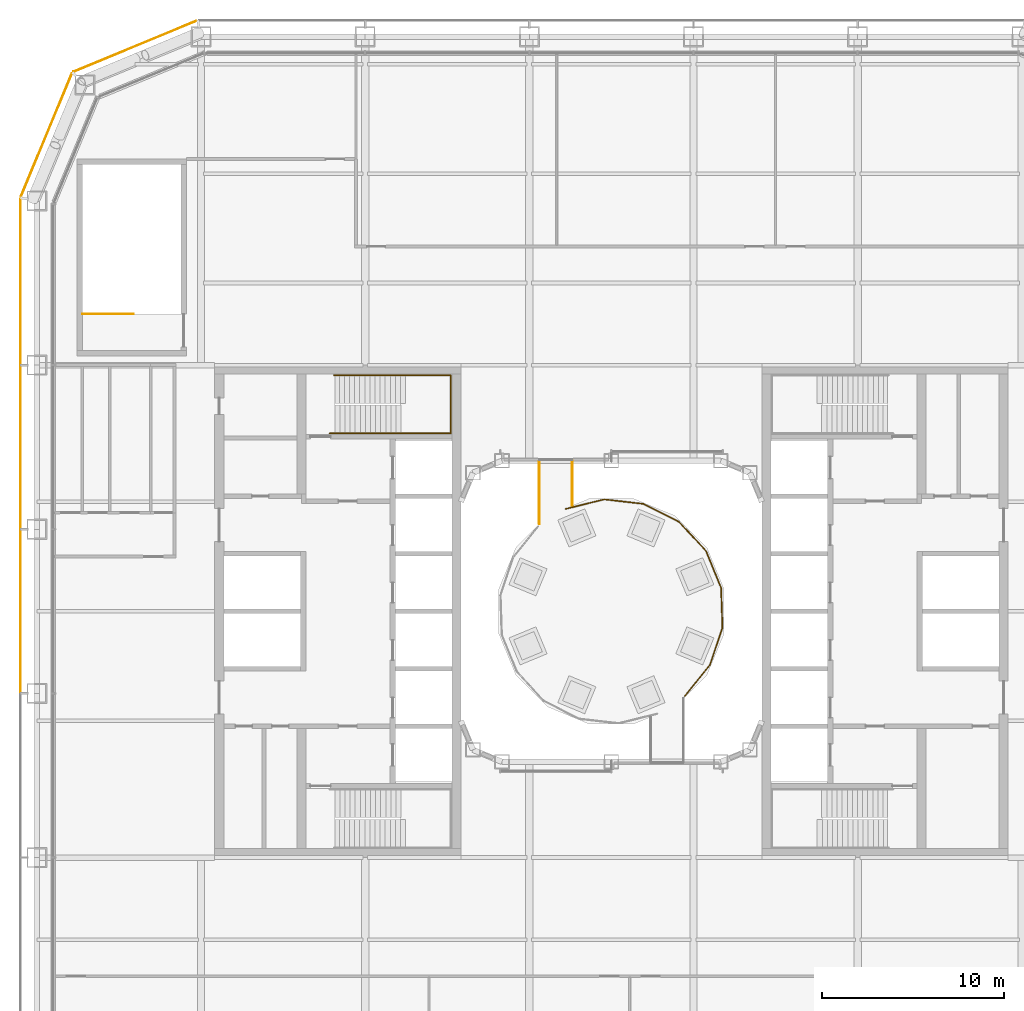
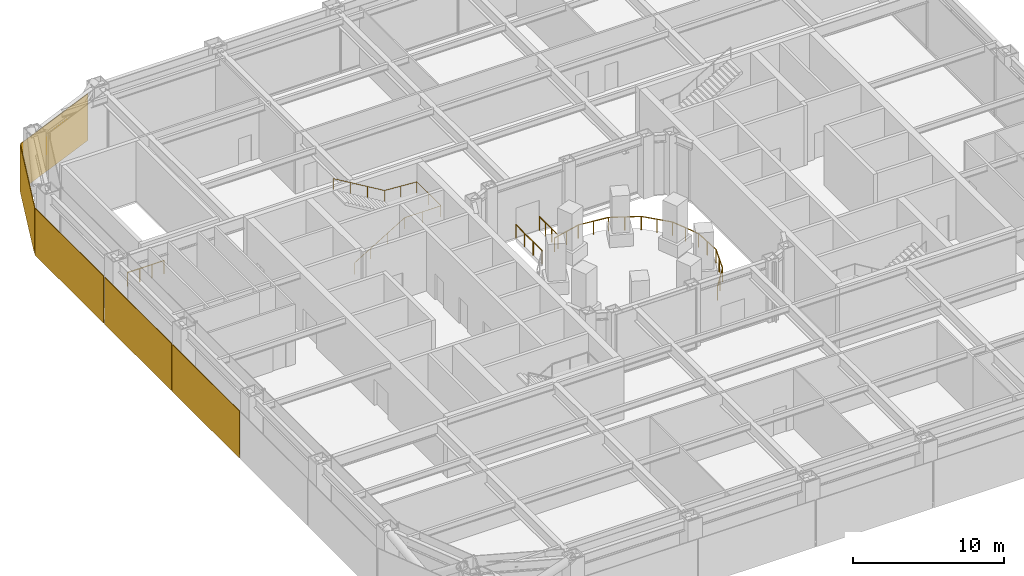
# One storey, part 22 of 25: 5 coverings, 5 railings.
"""IFC4 building model written with IfcOpenShell, lengths in metres."""

from ifc_helpers import new_model, si_unit, direction, frame, origin, origin_2d, place, context, subcontext, project, spatial, rectangle, circle, extrude, material, layer, layer_set, type_object, element, save


model = new_model("IFC4")

# Units and contexts
model_context = context("Model", 3, precision=1e-05, world=origin(), true_north=direction((0.0, 1.0)))
body_context = subcontext(model_context, "Body", "Model", "MODEL_VIEW")
ifc_project = project(units=[si_unit("LENGTHUNIT", "METRE"), si_unit("AREAUNIT", "SQUARE_METRE"), si_unit("VOLUMEUNIT", "CUBIC_METRE"), si_unit("PLANEANGLEUNIT", "RADIAN"), si_unit("MASSUNIT", "GRAM", prefix="KILO")], contexts=[model_context])

# Site, building, storey
site_placement = place(None, origin())
site = spatial("IfcSite", under=ifc_project, at=site_placement, CompositionType="ELEMENT")
building_placement = place(site_placement, origin())
building = spatial("IfcBuilding", under=site, at=building_placement, Name="Siwar Civic Tower", CompositionType="ELEMENT")
storey_placement = place(building_placement, frame((0.0, 0.0, 17.199951171875)))
storey = spatial("IfcBuildingStorey", under=building, at=storey_placement, Name="L03", CompositionType="ELEMENT", Elevation=17.199951171875)

# Railing
ifc_material_1 = material(Name="Stainless steel", Category="steel")
railing_type_1 = type_object("IfcRailingType", Name="CORE-STAIR-HANDRAIL", PredefinedType="HANDRAIL", material=ifc_material_1)
railing_1_placement = place(storey_placement, frame((-15.449951171875, 9.758056640625, 0.166748046875)))
element("IfcRailing", 1, at=railing_1_placement, inside=storey, type_object=railing_type_1, Name="Stair handrail ST1", PredefinedType="HANDRAIL", context=body_context, shape_type="SweptSolid", body=[
    extrude(circle(Radius=0.02001953125, at=origin_2d()), frame((0.0, 0.0, 0.8798828125), z_axis=(0.856384976194, 0.0, 0.516337847296), x_axis=(0.0, 1.0, 0.0)), (0.0, 0.0, 1.0), 4.518798828125),
    extrude(circle(Radius=0.02001953125, at=origin_2d()), frame((3.869873046875, 0.0, 3.213134765625), z_axis=(1.0, 0.0, 0.0), x_axis=(0.0, 1.0, 0.0)), (0.0, 0.0, 1.0), 2.77197265625),
    extrude(circle(Radius=0.02001953125, at=origin_2d()), frame((6.641845703125, 0.0, 3.213134765625), z_axis=(0.0, 1.0, 0.0), x_axis=(-1.0, 0.0, 0.0)), (0.0, 0.0, 1.0), 3.183837890625),
    extrude(circle(Radius=0.02001953125, at=origin_2d()), frame((6.641845703125, 3.183837890625, 3.213134765625), z_axis=(-0.997732526271, 0.0, 0.067303833624), x_axis=(0.0, -1.0, 0.0)), (0.0, 0.0, 1.0), 2.4775390625),
    extrude(circle(Radius=0.02001953125, at=origin_2d()), frame((4.169921875, 3.183837890625, 3.3798828125), z_axis=(-0.859296244711, 0.0, 0.511478214419), x_axis=(0.0, -1.0, 0.0)), (0.0, 0.0, 1.0), 4.561767578125),
    extrude(circle(Radius=0.02001953125, at=origin_2d()), origin(), (0.0, 0.0, 1.0), 0.85986328125),
    extrude(circle(Radius=0.02001953125, at=origin_2d()), frame((1.2900390625, 0.0, 0.77783203125)), (0.0, 0.0, 1.0), 0.85986328125),
    extrude(circle(Radius=0.02001953125, at=origin_2d()), frame((2.579833984375, 0.0, 1.555419921875)), (0.0, 0.0, 1.0), 0.85986328125),
    extrude(circle(Radius=0.02001953125, at=origin_2d()), frame((3.869873046875, 0.0, 2.333251953125)), (0.0, 0.0, 1.0), 0.85986328125),
    extrude(circle(Radius=0.02001953125, at=origin_2d()), frame((5.255859375, 0.0, 2.333251953125)), (0.0, 0.0, 1.0), 0.85986328125),
    extrude(circle(Radius=0.02001953125, at=origin_2d()), frame((6.641845703125, 0.0, 2.333251953125)), (0.0, 0.0, 1.0), 0.85986328125),
    extrude(circle(Radius=0.02001953125, at=origin_2d()), frame((6.641845703125, 1.591796875, 2.333251953125)), (0.0, 0.0, 1.0), 0.85986328125),
    extrude(circle(Radius=0.02001953125, at=origin_2d()), frame((6.641845703125, 3.183837890625, 2.333251953125)), (0.0, 0.0, 1.0), 0.85986328125),
    extrude(circle(Radius=0.02001953125, at=origin_2d()), frame((5.40576171875, 3.183837890625, 2.41650390625)), (0.0, 0.0, 1.0), 0.85986328125),
    extrude(circle(Radius=0.02001953125, at=origin_2d()), frame((4.169921875, 3.183837890625, 2.5)), (0.0, 0.0, 1.0), 0.85986328125),
    extrude(circle(Radius=0.02001953125, at=origin_2d()), frame((2.86328125, 3.183837890625, 3.27783203125)), (0.0, 0.0, 1.0), 0.85986328125),
    extrude(circle(Radius=0.02001953125, at=origin_2d()), frame((1.556640625, 3.183837890625, 4.055419921875)), (0.0, 0.0, 1.0), 0.85986328125),
    extrude(circle(Radius=0.02001953125, at=origin_2d()), frame((0.25, 3.183837890625, 4.833251953125)), (0.0, 0.0, 1.0), 0.85986328125),
])

# Coverings
ifc_material_2 = material(Name="Perforated aluminium cassette, pale metal", Category="aluminium")
ifc_layer_1 = layer(ifc_material_2, 0.0400390625)
ifc_layer_set_1 = layer_set([ifc_layer_1], Name="Perforated aluminium cassette, pale metal")
covering_type_1 = type_object("IfcCoveringType", Name="ENV-OUTER SKIN OS-1", PredefinedType="CLADDING", material=ifc_layer_set_1)
covering_1_placement = place(storey_placement, frame((-26.115966796875, 30.976318359375, -0.14990234375), z_axis=(0.0, 0.0, 1.0), x_axis=(-0.923879532511, -0.382683432365, 0.0)))
element("IfcCovering", 2, at=covering_1_placement, inside=storey, type_object=covering_type_1, Name="OUTER SKIN OS-1 NW1 1", PredefinedType="CLADDING", context=body_context, shape_type="SweptSolid", body=[
    extrude(rectangle(XDim=7.300048828125, YDim=0.0400390625, at=origin_2d()), origin(), (0.0, 0.0, 1.0), 3.800048828125),
])
ifc_material_3 = material(Name="Perforated aluminium cassette, pale metal", Category="aluminium")
ifc_layer_2 = layer(ifc_material_3, 0.044921875)
ifc_layer_set_2 = layer_set([ifc_layer_2], Name="Perforated aluminium cassette, pale metal")
covering_type_2 = type_object("IfcCoveringType", Name="ENV-OUTER SKIN OS-2", PredefinedType="CLADDING", material=ifc_layer_set_2)
covering_2_placement = place(storey_placement, frame((-30.976318359375, 26.115966796875, -0.14990234375), z_axis=(0.0, 0.0, 1.0), x_axis=(-0.382683432365, -0.923879532511, 0.0)))
element("IfcCovering", 3, at=covering_2_placement, inside=storey, type_object=covering_type_2, Name="OUTER SKIN OS-2 NW2 1", PredefinedType="CLADDING", context=body_context, shape_type="SweptSolid", body=[
    extrude(rectangle(XDim=7.300048828125, YDim=0.044921875, at=origin_2d()), origin(), (0.0, 0.0, 1.0), 3.800048828125),
])
ifc_material_4 = material(Name="Perforated aluminium cassette, pale metal", Category="aluminium")
ifc_layer_3 = layer(ifc_material_4, 0.050048828125)
ifc_layer_set_3 = layer_set([ifc_layer_3], Name="Perforated aluminium cassette, pale metal")
covering_type_3 = type_object("IfcCoveringType", Name="ENV-OUTER SKIN OS-3", PredefinedType="CLADDING", material=ifc_layer_set_3)
covering_3_placement = place(storey_placement, frame((-32.39990234375, 18.07958984375, -0.14990234375), z_axis=(0.0, 0.0, 1.0), x_axis=(0.0, -1.0, 0.0)))
element("IfcCovering", 4, at=covering_3_placement, inside=storey, type_object=covering_type_3, Name="OUTER SKIN OS-3 W 1", PredefinedType="CLADDING", context=body_context, shape_type="SweptSolid", body=[
    extrude(rectangle(XDim=9.05908203125, YDim=0.050048828125, at=origin_2d()), origin(), (0.0, 0.0, 1.0), 3.800048828125),
])
for number, where, z_axis, x_axis, name in (
    (5, (-32.39990234375, 9.0, -0.14990234375), (0.0, 0.0, 1.0), (0.0, -1.0, 0.0), "OUTER SKIN OS-3 W 2"),
    (6, (-32.39990234375, 0.0, -0.14990234375), (0.0, 0.0, 1.0), (0.0, -1.0, 0.0), "OUTER SKIN OS-3 W 3"),
):
    element("IfcCovering", number, at=place(storey_placement, frame(where, z_axis=z_axis, x_axis=x_axis)), inside=storey, type_object=covering_type_3, Name=name, PredefinedType="CLADDING", context=body_context, shape_type="SweptSolid", body=[
        extrude(rectangle(XDim=8.89990234375, YDim=0.050048828125, at=origin_2d()), origin(), (0.0, 0.0, 1.0), 3.800048828125),
    ])

# Railings
ifc_material_5 = material(Name="Stainless steel", Category="steel")
railing_type_2 = type_object("IfcRailingType", Name="GND-RAIL", PredefinedType="GUARDRAIL", material=ifc_material_5)
railing_2_placement = place(storey_placement, frame((-3.949951171875, 4.788330078125, 0.0)))
element("IfcRailing", 7, at=railing_2_placement, inside=storey, type_object=railing_type_2, Name="Bridge guard", PredefinedType="GUARDRAIL", context=body_context, shape_type="SweptSolid", body=[
    extrude(circle(Radius=0.02392578125, at=origin_2d()), frame((0.0, 0.0, 1.076171875), z_axis=(0.0, 1.0, 0.0), x_axis=(-1.0, 0.0, 0.0)), (0.0, 0.0, 1.0), 3.45166015625),
    extrude(circle(Radius=0.02099609375, at=origin_2d()), origin(), (0.0, 0.0, 1.0), 1.052001953125),
    extrude(circle(Radius=0.02099609375, at=origin_2d()), frame((0.0, 1.150634765625, 0.0)), (0.0, 0.0, 1.0), 1.052001953125),
    extrude(circle(Radius=0.02099609375, at=origin_2d()), frame((0.0, 2.301025390625, 0.0)), (0.0, 0.0, 1.0), 1.052001953125),
    extrude(circle(Radius=0.02099609375, at=origin_2d()), frame((0.0, 3.45166015625, 0.0)), (0.0, 0.0, 1.0), 1.052001953125),
])
railing_3_placement = place(storey_placement, frame((-2.14990234375, 5.797607421875, 0.0)))
element("IfcRailing", 8, at=railing_3_placement, inside=storey, type_object=railing_type_2, Name="Bridge guard", PredefinedType="GUARDRAIL", context=body_context, shape_type="SweptSolid", body=[
    extrude(circle(Radius=0.02392578125, at=origin_2d()), frame((0.0, 0.0, 1.076171875), z_axis=(0.0, 1.0, 0.0), x_axis=(-1.0, 0.0, 0.0)), (0.0, 0.0, 1.0), 2.4423828125),
    extrude(circle(Radius=0.02099609375, at=origin_2d()), origin(), (0.0, 0.0, 1.0), 1.052001953125),
    extrude(circle(Radius=0.02099609375, at=origin_2d()), frame((0.0, 0.814208984375, 0.0)), (0.0, 0.0, 1.0), 1.052001953125),
    extrude(circle(Radius=0.02099609375, at=origin_2d()), frame((0.0, 1.628173828125, 0.0)), (0.0, 0.0, 1.0), 1.052001953125),
    extrude(circle(Radius=0.02099609375, at=origin_2d()), frame((0.0, 2.4423828125, 0.0)), (0.0, 0.0, 1.0), 1.052001953125),
])
railing_4_placement = place(storey_placement, frame((4.027587890625, -4.647705078125, 0.0)))
element("IfcRailing", 9, at=railing_4_placement, inside=storey, type_object=railing_type_2, Name="Terrace guard", PredefinedType="GUARDRAIL", context=body_context, shape_type="SweptSolid", body=[
    extrude(circle(Radius=0.02392578125, at=origin_2d()), frame((0.0, 0.0, 1.076171875), z_axis=(0.62786201826, 0.778324666207, 0.0), x_axis=(-0.778324666207, 0.62786201826, 0.0)), (0.0, 0.0, 1.0), 2.177490234375),
    extrude(circle(Radius=0.02392578125, at=origin_2d()), frame((1.3671875, 1.69482421875, 1.076171875), z_axis=(0.317236466423, 0.948346468529, 0.0), x_axis=(-0.948346468529, 0.317236466423, 0.0)), (0.0, 0.0, 1.0), 2.177978515625),
    extrude(circle(Radius=0.02392578125, at=origin_2d()), frame((2.05810546875, 3.76025390625, 1.076171875), z_axis=(-0.033184181604, 0.999449253385, 0.0), x_axis=(-0.999449253385, -0.033184181604, 0.0)), (0.0, 0.0, 1.0), 2.177734375),
    extrude(circle(Radius=0.02392578125, at=origin_2d()), frame((1.98583984375, 5.936767578125, 1.076171875), z_axis=(-0.379475162316, 0.925201924547, 0.0), x_axis=(-0.925201924547, -0.379475162316, 0.0)), (0.0, 0.0, 1.0), 2.177734375),
    extrude(circle(Radius=0.02392578125, at=origin_2d()), frame((1.159423828125, 7.95166015625, 1.076171875), z_axis=(-0.678056562675, 0.735009726339, 0.0), x_axis=(-0.735009726339, -0.678056562675, 0.0)), (0.0, 0.0, 1.0), 2.177734375),
    extrude(circle(Radius=0.02392578125, at=origin_2d()), frame((-0.317138671875, 9.55224609375, 1.076171875), z_axis=(-0.891720370588, 0.452586765912, 0.0), x_axis=(-0.452586765912, -0.891720370588, 0.0)), (0.0, 0.0, 1.0), 2.177734375),
    extrude(circle(Radius=0.02392578125, at=origin_2d()), frame((-2.259033203125, 10.537841796875, 1.076171875), z_axis=(-0.993544229816, 0.113445420351, 0.0), x_axis=(-0.113445420351, -0.993544229816, 0.0)), (0.0, 0.0, 1.0), 2.177978515625),
    extrude(circle(Radius=0.02392578125, at=origin_2d()), frame((-4.4228515625, 10.784912109375, 1.076171875), z_axis=(-0.970791881984, -0.239923158268, 0.0), x_axis=(0.239923158268, -0.970791881984, 0.0)), (0.0, 0.0, 1.0), 2.177734375),
    extrude(circle(Radius=0.02099609375, at=origin_2d()), origin(), (0.0, 0.0, 1.0), 1.052001953125),
    extrude(circle(Radius=0.02099609375, at=origin_2d()), frame((0.68359375, 0.847412109375, 0.0)), (0.0, 0.0, 1.0), 1.052001953125),
    extrude(circle(Radius=0.02099609375, at=origin_2d()), frame((1.3671875, 1.69482421875, 0.0)), (0.0, 0.0, 1.0), 1.052001953125),
    extrude(circle(Radius=0.02099609375, at=origin_2d()), frame((1.712646484375, 2.7275390625, 0.0)), (0.0, 0.0, 1.0), 1.052001953125),
    extrude(circle(Radius=0.02099609375, at=origin_2d()), frame((2.05810546875, 3.76025390625, 0.0)), (0.0, 0.0, 1.0), 1.052001953125),
    extrude(circle(Radius=0.02099609375, at=origin_2d()), frame((2.02197265625, 4.8486328125, 0.0)), (0.0, 0.0, 1.0), 1.052001953125),
    extrude(circle(Radius=0.02099609375, at=origin_2d()), frame((1.98583984375, 5.936767578125, 0.0)), (0.0, 0.0, 1.0), 1.052001953125),
    extrude(circle(Radius=0.02099609375, at=origin_2d()), frame((1.57275390625, 6.9443359375, 0.0)), (0.0, 0.0, 1.0), 1.052001953125),
    extrude(circle(Radius=0.02099609375, at=origin_2d()), frame((1.159423828125, 7.95166015625, 0.0)), (0.0, 0.0, 1.0), 1.052001953125),
    extrude(circle(Radius=0.02099609375, at=origin_2d()), frame((0.421142578125, 8.751953125, 0.0)), (0.0, 0.0, 1.0), 1.052001953125),
    extrude(circle(Radius=0.02099609375, at=origin_2d()), frame((-0.317138671875, 9.55224609375, 0.0)), (0.0, 0.0, 1.0), 1.052001953125),
    extrude(circle(Radius=0.02099609375, at=origin_2d()), frame((-1.2880859375, 10.044921875, 0.0)), (0.0, 0.0, 1.0), 1.052001953125),
    extrude(circle(Radius=0.02099609375, at=origin_2d()), frame((-2.259033203125, 10.537841796875, 0.0)), (0.0, 0.0, 1.0), 1.052001953125),
    extrude(circle(Radius=0.02099609375, at=origin_2d()), frame((-3.3408203125, 10.661376953125, 0.0)), (0.0, 0.0, 1.0), 1.052001953125),
    extrude(circle(Radius=0.02099609375, at=origin_2d()), frame((-4.4228515625, 10.784912109375, 0.0)), (0.0, 0.0, 1.0), 1.052001953125),
    extrude(circle(Radius=0.02099609375, at=origin_2d()), frame((-5.47998046875, 10.523681640625, 0.0)), (0.0, 0.0, 1.0), 1.052001953125),
    extrude(circle(Radius=0.02099609375, at=origin_2d()), frame((-6.536865234375, 10.262451171875, 0.0)), (0.0, 0.0, 1.0), 1.052001953125),
])
railing_5_placement = place(storey_placement, frame((-29.0, 16.300048828125, 0.0)))
element("IfcRailing", 10, at=railing_5_placement, inside=storey, type_object=railing_type_2, Name="Opening guard ST5", PredefinedType="GUARDRAIL", context=body_context, shape_type="SweptSolid", body=[
    extrude(circle(Radius=0.02392578125, at=origin_2d()), frame((0.0, 0.0, 1.076171875), z_axis=(1.0, 0.0, 0.0), x_axis=(0.0, 1.0, 0.0)), (0.0, 0.0, 1.0), 2.800048828125),
    extrude(circle(Radius=0.02099609375, at=origin_2d()), origin(), (0.0, 0.0, 1.0), 1.052001953125),
    extrude(circle(Radius=0.02099609375, at=origin_2d()), frame((0.933349609375, 0.0, 0.0)), (0.0, 0.0, 1.0), 1.052001953125),
    extrude(circle(Radius=0.02099609375, at=origin_2d()), frame((1.86669921875, 0.0, 0.0)), (0.0, 0.0, 1.0), 1.052001953125),
    extrude(circle(Radius=0.02099609375, at=origin_2d()), frame((2.800048828125, 0.0, 0.0)), (0.0, 0.0, 1.0), 1.052001953125),
])

save(model, "model.ifc")
